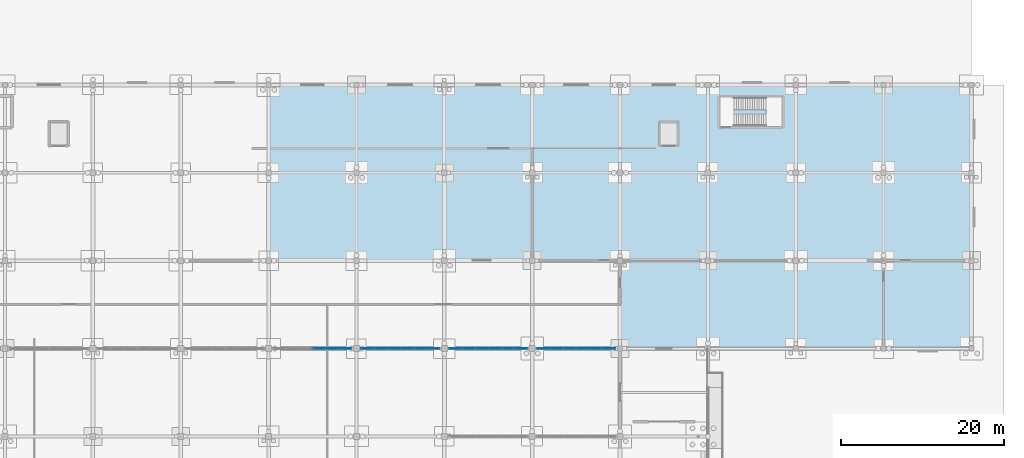
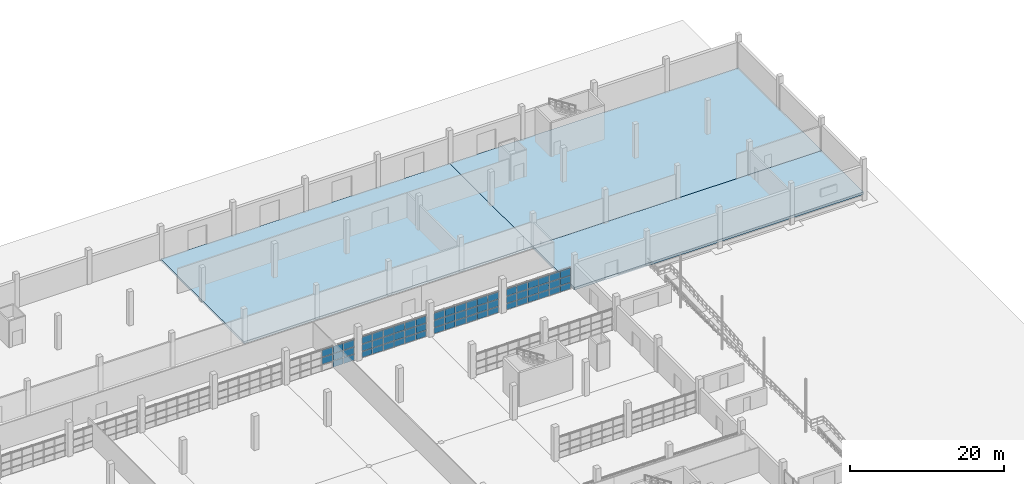
# One storey, part 96 of 138: 62 plates, 3 slabs, 4 elements without a shape of their own.
"""IFC4 building model written with IfcOpenShell, lengths in metres."""

import ifcopenshell
import ifcopenshell.guid

model = None  # the IFC model being written
_history = None  # IfcOwnerHistory: only IFC2X3 demands one
_inside = {}  # id of a spatial element -> (the spatial element, [elements in it])
_under = {}  # id of a project, library or spatial element -> (it, [spatial elements below it])
_declared = {}  # id of a project -> (the project, [libraries it declares])
_typed = {}  # id of a type object -> (the type object, [elements of that type])
_made_of = {}  # id of a material, layer set ... -> (it, [elements and type objects made of it])


def new_model(schema):
    """Start an empty IFC model of exactly this schema.

    Asked for "IFC4X3", IfcOpenShell would pick the latest addendum, in which some entities
    have other attributes; the version numbers below select the first issue.
    IFC2X3 requires an IfcOwnerHistory on every rooted entity: one is made here for all.
    """
    global model, _history
    if schema == "IFC4X3":
        model = ifcopenshell.file(schema_version=(4, 3, 0, 0))
    else:
        model = ifcopenshell.file(schema=schema)
    _inside.clear()
    _under.clear()
    _declared.clear()
    _typed.clear()
    _made_of.clear()
    _history = None
    if model.schema == "IFC2X3":
        org = make("IfcOrganization", Name="unknown")
        user = make(
            "IfcPersonAndOrganization",
            ThePerson=make("IfcPerson", FamilyName="unknown"),
            TheOrganization=org,
        )
        app = make(
            "IfcApplication",
            ApplicationDeveloper=org,
            Version="unknown",
            ApplicationFullName="unknown",
            ApplicationIdentifier="unknown",
        )
        _history = make(
            "IfcOwnerHistory",
            OwningUser=user,
            OwningApplication=app,
            ChangeAction="ADDED",
            CreationDate=0,
        )
    return model


def make(cls, **values):
    """One entity of the class cls with the attributes given. An attribute that is None is left unset."""
    return model.create_entity(
        cls, **{name: value for name, value in values.items() if value is not None}
    )


def rooted(cls, **values):
    """An entity with a GlobalId (a new one), such as an element, a storey or a relation."""
    return make(cls, GlobalId=ifcopenshell.guid.new(), OwnerHistory=_history, **values)


def si_unit(unit_type, name, prefix=None):
    """IfcSIUnit, for example si_unit("LENGTHUNIT", "METRE", prefix="MILLI")."""
    return make("IfcSIUnit", UnitType=unit_type, Prefix=prefix, Name=name)


def assignment(units):
    """IfcUnitAssignment: the units of a project."""
    return None if units is None else make("IfcUnitAssignment", Units=units)


def point(xyz):
    """IfcCartesianPoint."""
    return None if xyz is None else make("IfcCartesianPoint", Coordinates=xyz)


def direction(xyz):
    """IfcDirection."""
    return None if xyz is None else make("IfcDirection", DirectionRatios=xyz)


def frame(location, z_axis=None, x_axis=None):
    """IfcAxis2Placement3D, a coordinate frame: its origin and axes. An axis left out is left unset."""
    return make(
        "IfcAxis2Placement3D",
        Location=point(location),
        Axis=direction(z_axis),
        RefDirection=direction(x_axis),
    )


def frame_2d(location, x_axis=None):
    """IfcAxis2Placement2D, a coordinate frame in the plane: its origin and x axis."""
    return make(
        "IfcAxis2Placement2D", Location=point(location), RefDirection=direction(x_axis)
    )


def origin():
    """The frame at (0, 0, 0) with its axes left unset."""
    return frame((0.0, 0.0, 0.0))


def origin_2d():
    """The frame at (0, 0) in the plane with its x axis left unset."""
    return frame_2d((0.0, 0.0))


def place(relative_to, where):
    """IfcLocalPlacement: puts the frame where relative to a parent placement (None: the world)."""
    return make(
        "IfcLocalPlacement", PlacementRelTo=relative_to, RelativePlacement=where
    )


def context(
    kind, dimensions, precision=None, world=None, true_north=None, identifier=None
):
    """IfcGeometricRepresentationContext, for example the 3D "Model" context."""
    return make(
        "IfcGeometricRepresentationContext",
        ContextIdentifier=identifier,
        ContextType=kind,
        CoordinateSpaceDimension=dimensions,
        Precision=precision,
        WorldCoordinateSystem=world,
        TrueNorth=true_north,
    )


def subcontext(parent, identifier, kind, view, scale=None):
    """IfcGeometricRepresentationSubContext, for example "Body" below "Model"."""
    return make(
        "IfcGeometricRepresentationSubContext",
        ContextIdentifier=identifier,
        ContextType=kind,
        ParentContext=parent,
        TargetScale=scale,
        TargetView=view,
    )


def project(units=None, contexts=None):
    """IfcProject with its units and contexts."""
    return rooted(
        "IfcProject",
        Name="project",
        RepresentationContexts=contexts,
        UnitsInContext=assignment(units),
    )


def spatial(cls, under=None, at=None, **own):
    """A site, building, storey or space (cls), placed at a placement, below another one or the project."""
    s = rooted(cls, ObjectPlacement=at, **own)
    if under is not None:
        _under.setdefault(under.id(), (under, []))[1].append(s)
    return s


def polyline(points):
    """IfcPolyline through the points."""
    return make("IfcPolyline", Points=[point(p) for p in points])


def profile(cls, at=None, kind="AREA", **sizes):
    """A parametric profile (cls). Its sizes go by their IFC names, for example OverallWidth=200.0."""
    return make(cls, ProfileType=kind, Position=at, **sizes)


def rectangle(**sizes):
    """IfcRectangleProfileDef."""
    return profile("IfcRectangleProfileDef", **sizes)


def outline(outer, holes=None, kind="AREA"):
    """IfcArbitraryClosedProfileDef: a profile drawn as a closed curve; with holes, ...WithVoids."""
    if holes is None:
        return make("IfcArbitraryClosedProfileDef", ProfileType=kind, OuterCurve=outer)
    return make(
        "IfcArbitraryProfileDefWithVoids",
        ProfileType=kind,
        OuterCurve=outer,
        InnerCurves=holes,
    )


def extrude(swept, where, along, depth):
    """IfcExtrudedAreaSolid: the profile swept, set in the frame where, extruded along a direction by depth."""
    return make(
        "IfcExtrudedAreaSolid",
        SweptArea=swept,
        Position=where,
        ExtrudedDirection=direction(along),
        Depth=depth,
    )


def shape(context_of_items, identifier, shape_type, items):
    """IfcShapeRepresentation: the items that make up one representation, for example the "Body"."""
    return make(
        "IfcShapeRepresentation",
        ContextOfItems=context_of_items,
        RepresentationIdentifier=identifier,
        RepresentationType=shape_type,
        Items=items,
    )


def material(Name=None, Category=None):
    """IfcMaterial."""
    return make("IfcMaterial", Name=Name, Category=Category)


def layer(
    of_material, thickness, ventilated=None, Name=None, Category=None, Priority=None
):
    """IfcMaterialLayer: one layer of a wall or slab, of a material (None: an air gap)."""
    return make(
        "IfcMaterialLayer",
        Material=of_material,
        LayerThickness=thickness,
        IsVentilated=ventilated,
        Name=Name,
        Category=Category,
        Priority=Priority,
    )


def layer_set(layers, Name=None):
    """IfcMaterialLayerSet."""
    return make("IfcMaterialLayerSet", MaterialLayers=layers, LayerSetName=Name)


def made_of(thing, what):
    """Note that an element or type object is made of a material, layer set ...; save() writes the relation."""
    if what is not None:
        _made_of.setdefault(what.id(), (what, []))[1].append(thing)
    return thing


def type_object(cls, material=None, **own):
    """A type object (cls), such as IfcWallType, which elements share."""
    return made_of(rooted(cls, **own), material)


def element(
    cls,
    number,
    at=None,
    inside=None,
    cuts=None,
    type_object=None,
    material=None,
    context=None,
    identifier="Body",
    shape_type=None,
    held_by="IfcProductDefinitionShape",
    body=None,
    shapes=None,
    **own,
):
    """One element of the class cls, such as IfcWall. Its Tag is "e" and its number.

    at: its placement. inside: the storey or other place that contains it. cuts: it is an
    opening in that element (IfcRelVoidsElement). A single representation is given by context,
    identifier, shape_type and body (its items); several are given by shapes. held_by: the class
    of the entity that holds the representations. save() writes the other relations.
    """
    e = rooted(cls, Tag="e%d" % number, ObjectPlacement=at, **own)
    if body is not None:
        shapes = [shape(context, identifier, shape_type, body)]
    if shapes is not None:
        e.Representation = make(held_by, Representations=shapes)
    if inside is not None:
        _inside.setdefault(inside.id(), (inside, []))[1].append(e)
    if cuts is not None:
        rooted(
            "IfcRelVoidsElement", RelatingBuildingElement=cuts, RelatedOpeningElement=e
        )
    if type_object is not None:
        _typed.setdefault(type_object.id(), (type_object, []))[1].append(e)
    return made_of(e, material)


def aggregate(whole, parts):
    """IfcRelAggregates: a whole, such as a stair, and the parts it consists of."""
    return rooted("IfcRelAggregates", RelatingObject=whole, RelatedObjects=parts)


def save(model, path):
    """Write the relations noted so far, then the file.

    IfcRelAggregates (storeys below a building ...), IfcRelContainedInSpatialStructure (elements
    in a storey), IfcRelDefinesByType, IfcRelAssociatesMaterial and IfcRelDeclares: one each for
    every whole, place, type object, material and project.
    """
    for whole, parts in _under.values():
        aggregate(whole, parts)
    for where, things in _inside.values():
        rooted(
            "IfcRelContainedInSpatialStructure",
            RelatedElements=things,
            RelatingStructure=where,
        )
    for kind, things in _typed.values():
        rooted("IfcRelDefinesByType", RelatedObjects=things, RelatingType=kind)
    for what, things in _made_of.values():
        rooted("IfcRelAssociatesMaterial", RelatedObjects=things, RelatingMaterial=what)
    for by, libraries in _declared.values():
        rooted("IfcRelDeclares", RelatingContext=by, RelatedDefinitions=libraries)
    model.write(path)


model = new_model("IFC4")

# Units and contexts
model_context = context("Model", 3, precision=1e-05, world=origin(), true_north=direction((0.0, 1.0)))
body_context = subcontext(model_context, "Body", "Model", "MODEL_VIEW")
ifc_project = project(units=[si_unit("LENGTHUNIT", "METRE"), si_unit("AREAUNIT", "SQUARE_METRE"), si_unit("VOLUMEUNIT", "CUBIC_METRE"), si_unit("PLANEANGLEUNIT", "RADIAN"), si_unit("MASSUNIT", "GRAM", prefix="KILO")], contexts=[model_context])

# Site, building, storey
site_placement = place(None, origin())
site = spatial("IfcSite", under=ifc_project, at=site_placement, CompositionType="ELEMENT")
building_placement = place(site_placement, origin())
building = spatial("IfcBuilding", under=site, at=building_placement, Name="Zwinboog Wholesale Market", CompositionType="ELEMENT")
storey_placement = place(building_placement, origin())
storey = spatial("IfcBuildingStorey", under=building, at=storey_placement, Name="L00", CompositionType="ELEMENT", Elevation=0.0)

# Slabs
ifc_material_1 = material(Name="Precast concrete C45/55", Category="concrete")
ifc_layer_1 = layer(ifc_material_1, 0.3349609375)
ifc_layer_set_1 = layer_set([ifc_layer_1], Name="Precast concrete C45/55")
slab_type_1 = type_object("IfcSlabType", Name="SLT-BS-335", PredefinedType="BASESLAB", material=ifc_layer_set_1)
slab_1_placement = place(storey_placement, frame((0.0, 0.0, -0.3349609375)))
element("IfcSlab", 1, at=slab_1_placement, inside=storey, type_object=slab_type_1, Name="SB-335 (SLB-L00-019)", PredefinedType="BASESLAB", context=body_context, shape_type="SweptSolid", body=[
    extrude(outline(polyline([(129.60009765625, 108.0), (172.800048828125, 108.0), (172.800048828125, 129.60009765625), (129.60009765625, 129.60009765625), (129.60009765625, 108.0)])), origin(), (0.0, 0.0, 1.0), 0.3349609375),
])
ifc_layer_2 = layer(ifc_material_1, 0.364990234375)
ifc_layer_set_2 = layer_set([ifc_layer_2], Name="Precast concrete C45/55")
slab_type_2 = type_object("IfcSlabType", Name="SLT-BS-365", PredefinedType="BASESLAB", material=ifc_layer_set_2)
slab_2_placement = place(storey_placement, frame((0.0, 0.0, -0.364990234375)))
element("IfcSlab", 2, at=slab_2_placement, inside=storey, type_object=slab_type_2, Name="SB-365 (SLB-L00-020)", PredefinedType="BASESLAB", context=body_context, shape_type="SweptSolid", body=[
    extrude(outline(polyline([(172.800048828125, 108.0), (216.0, 108.0), (216.0, 129.60009765625), (172.800048828125, 129.60009765625), (172.800048828125, 108.0)])), origin(), (0.0, 0.0, 1.0), 0.364990234375),
])
ifc_layer_3 = layer(ifc_material_1, 0.39501953125)
ifc_layer_set_3 = layer_set([ifc_layer_3], Name="Precast concrete C45/55")
slab_type_3 = type_object("IfcSlabType", Name="SLT-BS-395", PredefinedType="BASESLAB", material=ifc_layer_set_3)
slab_3_placement = place(storey_placement, frame((0.0, 0.0, -0.39501953125)))
element("IfcSlab", 3, at=slab_3_placement, inside=storey, type_object=slab_type_3, Name="SB-395 (SLB-L00-021)", PredefinedType="BASESLAB", context=body_context, shape_type="SweptSolid", body=[
    extrude(outline(polyline([(172.800048828125, 97.199951171875), (216.0, 97.199951171875), (216.0, 108.0), (172.800048828125, 108.0), (172.800048828125, 97.199951171875)])), origin(), (0.0, 0.0, 1.0), 0.39501953125),
])

# Curtain wall, plates
ifc_material_2 = material(Name="Aluminium thermally broken curtain wall", Category="aluminium")
curtain_wall_type = type_object("IfcCurtainWallType", Name="CWT-INT-STALL", PredefinedType="USERDEFINED", material=ifc_material_2)
curtain_wall_1_placement = place(storey_placement, origin())
curtain_wall_1 = element("IfcCurtainWall", 4, at=curtain_wall_1_placement, inside=storey, type_object=curtain_wall_type, Name="CW-07 (CW-STL-205)", ObjectType="STOREFRONT_GLAZING", PredefinedType="USERDEFINED")
ifc_material_3 = material(Name="Tempered laminated market stall glazing", Category="glass")
ifc_layer_4 = layer(ifc_material_3, 0.01611328125)
ifc_layer_set_4 = layer_set([ifc_layer_4], Name="Tempered laminated market stall glazing")
plate_type = type_object("IfcPlateType", Name="CWP-INT-16", PredefinedType="CURTAIN_PANEL", material=ifc_layer_set_4)
plate_1_placement = place(storey_placement, frame((135.808349609375, 97.199951171875, 1.080078125), z_axis=(0.0, 0.0, 1.0), x_axis=(1.0, 0.0, 0.0)))
plate_1 = element("IfcPlate", 5, at=plate_1_placement, type_object=plate_type, Name="CW-07 panel 4.2", PredefinedType="CURTAIN_PANEL", context=body_context, shape_type="SweptSolid", body=[
    extrude(rectangle(XDim=1.556640625, YDim=0.01611328125, at=origin_2d()), origin(), (0.0, 0.0, 1.0), 1.090087890625),
])
plate_2_placement = place(storey_placement, frame((135.808349609375, 97.199951171875, 2.22998046875), z_axis=(0.0, 0.0, 1.0), x_axis=(1.0, 0.0, 0.0)))
plate_2 = element("IfcPlate", 6, at=plate_2_placement, type_object=plate_type, Name="CW-07 panel 4.3", PredefinedType="CURTAIN_PANEL", context=body_context, shape_type="SweptSolid", body=[
    extrude(rectangle(XDim=1.556640625, YDim=0.01611328125, at=origin_2d()), origin(), (0.0, 0.0, 1.0), 1.110107421875),
])
plate_3_placement = place(storey_placement, frame((137.425048828125, 97.199951171875, 0.06005859375), z_axis=(0.0, 0.0, 1.0), x_axis=(1.0, 0.0, 0.0)))
plate_3 = element("IfcPlate", 7, at=plate_3_placement, type_object=plate_type, Name="CW-07 panel 5.1", PredefinedType="CURTAIN_PANEL", context=body_context, shape_type="SweptSolid", body=[
    extrude(rectangle(XDim=1.556640625, YDim=0.01611328125, at=origin_2d()), origin(), (0.0, 0.0, 1.0), 0.9599609375),
])
plate_4_placement = place(storey_placement, frame((137.425048828125, 97.199951171875, 1.080078125), z_axis=(0.0, 0.0, 1.0), x_axis=(1.0, 0.0, 0.0)))
plate_4 = element("IfcPlate", 8, at=plate_4_placement, type_object=plate_type, Name="CW-07 panel 5.2", PredefinedType="CURTAIN_PANEL", context=body_context, shape_type="SweptSolid", body=[
    extrude(rectangle(XDim=1.556640625, YDim=0.01611328125, at=origin_2d()), origin(), (0.0, 0.0, 1.0), 1.090087890625),
])
plate_5_placement = place(storey_placement, frame((137.425048828125, 97.199951171875, 2.22998046875), z_axis=(0.0, 0.0, 1.0), x_axis=(1.0, 0.0, 0.0)))
plate_5 = element("IfcPlate", 9, at=plate_5_placement, type_object=plate_type, Name="CW-07 panel 5.3", PredefinedType="CURTAIN_PANEL", context=body_context, shape_type="SweptSolid", body=[
    extrude(rectangle(XDim=1.556640625, YDim=0.01611328125, at=origin_2d()), origin(), (0.0, 0.0, 1.0), 1.110107421875),
])
plate_6_placement = place(storey_placement, frame((139.026611328125, 97.199951171875, 0.06005859375), z_axis=(0.0, 0.0, 1.0), x_axis=(1.0, 0.0, 0.0)))
plate_6 = element("IfcPlate", 10, at=plate_6_placement, type_object=plate_type, Name="CW-07 panel 6.1", PredefinedType="CURTAIN_PANEL", context=body_context, shape_type="SweptSolid", body=[
    extrude(rectangle(XDim=1.526611328125, YDim=0.01611328125, at=origin_2d()), origin(), (0.0, 0.0, 1.0), 0.9599609375),
])
plate_7_placement = place(storey_placement, frame((139.026611328125, 97.199951171875, 1.080078125), z_axis=(0.0, 0.0, 1.0), x_axis=(1.0, 0.0, 0.0)))
plate_7 = element("IfcPlate", 11, at=plate_7_placement, type_object=plate_type, Name="CW-07 panel 6.2", PredefinedType="CURTAIN_PANEL", context=body_context, shape_type="SweptSolid", body=[
    extrude(rectangle(XDim=1.526611328125, YDim=0.01611328125, at=origin_2d()), origin(), (0.0, 0.0, 1.0), 1.090087890625),
])
plate_8_placement = place(storey_placement, frame((139.026611328125, 97.199951171875, 2.22998046875), z_axis=(0.0, 0.0, 1.0), x_axis=(1.0, 0.0, 0.0)))
plate_8 = element("IfcPlate", 12, at=plate_8_placement, type_object=plate_type, Name="CW-07 panel 6.3", PredefinedType="CURTAIN_PANEL", context=body_context, shape_type="SweptSolid", body=[
    extrude(rectangle(XDim=1.526611328125, YDim=0.01611328125, at=origin_2d()), origin(), (0.0, 0.0, 1.0), 1.110107421875),
])
aggregate(curtain_wall_1, [plate_1, plate_2, plate_3, plate_4, plate_5, plate_6, plate_7, plate_8])

curtain_wall_2_placement = place(storey_placement, origin())
curtain_wall_2 = element("IfcCurtainWall", 13, at=curtain_wall_2_placement, inside=storey, type_object=curtain_wall_type, Name="CW-07 (CW-STL-206)", ObjectType="STOREFRONT_GLAZING", PredefinedType="USERDEFINED")
plate_9_placement = place(storey_placement, frame((141.7734375, 97.199951171875, 0.06005859375), z_axis=(0.0, 0.0, 1.0), x_axis=(1.0, 0.0, 0.0)))
plate_9 = element("IfcPlate", 14, at=plate_9_placement, type_object=plate_type, Name="CW-07 panel 1.1", PredefinedType="CURTAIN_PANEL", context=body_context, shape_type="SweptSolid", body=[
    extrude(rectangle(XDim=1.526611328125, YDim=0.01611328125, at=origin_2d()), origin(), (0.0, 0.0, 1.0), 0.9599609375),
])
plate_10_placement = place(storey_placement, frame((141.7734375, 97.199951171875, 1.080078125), z_axis=(0.0, 0.0, 1.0), x_axis=(1.0, 0.0, 0.0)))
plate_10 = element("IfcPlate", 15, at=plate_10_placement, type_object=plate_type, Name="CW-07 panel 1.2", PredefinedType="CURTAIN_PANEL", context=body_context, shape_type="SweptSolid", body=[
    extrude(rectangle(XDim=1.526611328125, YDim=0.01611328125, at=origin_2d()), origin(), (0.0, 0.0, 1.0), 1.090087890625),
])
plate_11_placement = place(storey_placement, frame((141.7734375, 97.199951171875, 2.22998046875), z_axis=(0.0, 0.0, 1.0), x_axis=(1.0, 0.0, 0.0)))
plate_11 = element("IfcPlate", 16, at=plate_11_placement, type_object=plate_type, Name="CW-07 panel 1.3", PredefinedType="CURTAIN_PANEL", context=body_context, shape_type="SweptSolid", body=[
    extrude(rectangle(XDim=1.526611328125, YDim=0.01611328125, at=origin_2d()), origin(), (0.0, 0.0, 1.0), 1.110107421875),
])
plate_12_placement = place(storey_placement, frame((143.375, 97.199951171875, 0.06005859375), z_axis=(0.0, 0.0, 1.0), x_axis=(1.0, 0.0, 0.0)))
plate_12 = element("IfcPlate", 17, at=plate_12_placement, type_object=plate_type, Name="CW-07 panel 2.1", PredefinedType="CURTAIN_PANEL", context=body_context, shape_type="SweptSolid", body=[
    extrude(rectangle(XDim=1.556640625, YDim=0.01611328125, at=origin_2d()), origin(), (0.0, 0.0, 1.0), 0.9599609375),
])
plate_13_placement = place(storey_placement, frame((143.375, 97.199951171875, 1.080078125), z_axis=(0.0, 0.0, 1.0), x_axis=(1.0, 0.0, 0.0)))
plate_13 = element("IfcPlate", 18, at=plate_13_placement, type_object=plate_type, Name="CW-07 panel 2.2", PredefinedType="CURTAIN_PANEL", context=body_context, shape_type="SweptSolid", body=[
    extrude(rectangle(XDim=1.556640625, YDim=0.01611328125, at=origin_2d()), origin(), (0.0, 0.0, 1.0), 1.090087890625),
])
plate_14_placement = place(storey_placement, frame((143.375, 97.199951171875, 2.22998046875), z_axis=(0.0, 0.0, 1.0), x_axis=(1.0, 0.0, 0.0)))
plate_14 = element("IfcPlate", 19, at=plate_14_placement, type_object=plate_type, Name="CW-07 panel 2.3", PredefinedType="CURTAIN_PANEL", context=body_context, shape_type="SweptSolid", body=[
    extrude(rectangle(XDim=1.556640625, YDim=0.01611328125, at=origin_2d()), origin(), (0.0, 0.0, 1.0), 1.110107421875),
])
plate_15_placement = place(storey_placement, frame((144.99169921875, 97.199951171875, 0.06005859375), z_axis=(0.0, 0.0, 1.0), x_axis=(1.0, 0.0, 0.0)))
plate_15 = element("IfcPlate", 20, at=plate_15_placement, type_object=plate_type, Name="CW-07 panel 3.1", PredefinedType="CURTAIN_PANEL", context=body_context, shape_type="SweptSolid", body=[
    extrude(rectangle(XDim=1.556640625, YDim=0.01611328125, at=origin_2d()), origin(), (0.0, 0.0, 1.0), 0.9599609375),
])
plate_16_placement = place(storey_placement, frame((144.99169921875, 97.199951171875, 1.080078125), z_axis=(0.0, 0.0, 1.0), x_axis=(1.0, 0.0, 0.0)))
plate_16 = element("IfcPlate", 21, at=plate_16_placement, type_object=plate_type, Name="CW-07 panel 3.2", PredefinedType="CURTAIN_PANEL", context=body_context, shape_type="SweptSolid", body=[
    extrude(rectangle(XDim=1.556640625, YDim=0.01611328125, at=origin_2d()), origin(), (0.0, 0.0, 1.0), 1.090087890625),
])
plate_17_placement = place(storey_placement, frame((144.99169921875, 97.199951171875, 2.22998046875), z_axis=(0.0, 0.0, 1.0), x_axis=(1.0, 0.0, 0.0)))
plate_17 = element("IfcPlate", 22, at=plate_17_placement, type_object=plate_type, Name="CW-07 panel 3.3", PredefinedType="CURTAIN_PANEL", context=body_context, shape_type="SweptSolid", body=[
    extrude(rectangle(XDim=1.556640625, YDim=0.01611328125, at=origin_2d()), origin(), (0.0, 0.0, 1.0), 1.110107421875),
])
plate_18_placement = place(storey_placement, frame((146.6083984375, 97.199951171875, 0.06005859375), z_axis=(0.0, 0.0, 1.0), x_axis=(1.0, 0.0, 0.0)))
plate_18 = element("IfcPlate", 23, at=plate_18_placement, type_object=plate_type, Name="CW-07 panel 4.1", PredefinedType="CURTAIN_PANEL", context=body_context, shape_type="SweptSolid", body=[
    extrude(rectangle(XDim=1.556640625, YDim=0.01611328125, at=origin_2d()), origin(), (0.0, 0.0, 1.0), 0.9599609375),
])
plate_19_placement = place(storey_placement, frame((146.6083984375, 97.199951171875, 1.080078125), z_axis=(0.0, 0.0, 1.0), x_axis=(1.0, 0.0, 0.0)))
plate_19 = element("IfcPlate", 24, at=plate_19_placement, type_object=plate_type, Name="CW-07 panel 4.2", PredefinedType="CURTAIN_PANEL", context=body_context, shape_type="SweptSolid", body=[
    extrude(rectangle(XDim=1.556640625, YDim=0.01611328125, at=origin_2d()), origin(), (0.0, 0.0, 1.0), 1.090087890625),
])
plate_20_placement = place(storey_placement, frame((146.6083984375, 97.199951171875, 2.22998046875), z_axis=(0.0, 0.0, 1.0), x_axis=(1.0, 0.0, 0.0)))
plate_20 = element("IfcPlate", 25, at=plate_20_placement, type_object=plate_type, Name="CW-07 panel 4.3", PredefinedType="CURTAIN_PANEL", context=body_context, shape_type="SweptSolid", body=[
    extrude(rectangle(XDim=1.556640625, YDim=0.01611328125, at=origin_2d()), origin(), (0.0, 0.0, 1.0), 1.110107421875),
])
plate_21_placement = place(storey_placement, frame((148.22509765625, 97.199951171875, 0.06005859375), z_axis=(0.0, 0.0, 1.0), x_axis=(1.0, 0.0, 0.0)))
plate_21 = element("IfcPlate", 26, at=plate_21_placement, type_object=plate_type, Name="CW-07 panel 5.1", PredefinedType="CURTAIN_PANEL", context=body_context, shape_type="SweptSolid", body=[
    extrude(rectangle(XDim=1.556640625, YDim=0.01611328125, at=origin_2d()), origin(), (0.0, 0.0, 1.0), 0.9599609375),
])
plate_22_placement = place(storey_placement, frame((148.22509765625, 97.199951171875, 1.080078125), z_axis=(0.0, 0.0, 1.0), x_axis=(1.0, 0.0, 0.0)))
plate_22 = element("IfcPlate", 27, at=plate_22_placement, type_object=plate_type, Name="CW-07 panel 5.2", PredefinedType="CURTAIN_PANEL", context=body_context, shape_type="SweptSolid", body=[
    extrude(rectangle(XDim=1.556640625, YDim=0.01611328125, at=origin_2d()), origin(), (0.0, 0.0, 1.0), 1.090087890625),
])
plate_23_placement = place(storey_placement, frame((148.22509765625, 97.199951171875, 2.22998046875), z_axis=(0.0, 0.0, 1.0), x_axis=(1.0, 0.0, 0.0)))
plate_23 = element("IfcPlate", 28, at=plate_23_placement, type_object=plate_type, Name="CW-07 panel 5.3", PredefinedType="CURTAIN_PANEL", context=body_context, shape_type="SweptSolid", body=[
    extrude(rectangle(XDim=1.556640625, YDim=0.01611328125, at=origin_2d()), origin(), (0.0, 0.0, 1.0), 1.110107421875),
])
plate_24_placement = place(storey_placement, frame((149.82666015625, 97.199951171875, 0.06005859375), z_axis=(0.0, 0.0, 1.0), x_axis=(1.0, 0.0, 0.0)))
plate_24 = element("IfcPlate", 29, at=plate_24_placement, type_object=plate_type, Name="CW-07 panel 6.1", PredefinedType="CURTAIN_PANEL", context=body_context, shape_type="SweptSolid", body=[
    extrude(rectangle(XDim=1.526611328125, YDim=0.01611328125, at=origin_2d()), origin(), (0.0, 0.0, 1.0), 0.9599609375),
])
plate_25_placement = place(storey_placement, frame((149.82666015625, 97.199951171875, 1.080078125), z_axis=(0.0, 0.0, 1.0), x_axis=(1.0, 0.0, 0.0)))
plate_25 = element("IfcPlate", 30, at=plate_25_placement, type_object=plate_type, Name="CW-07 panel 6.2", PredefinedType="CURTAIN_PANEL", context=body_context, shape_type="SweptSolid", body=[
    extrude(rectangle(XDim=1.526611328125, YDim=0.01611328125, at=origin_2d()), origin(), (0.0, 0.0, 1.0), 1.090087890625),
])
plate_26_placement = place(storey_placement, frame((149.82666015625, 97.199951171875, 2.22998046875), z_axis=(0.0, 0.0, 1.0), x_axis=(1.0, 0.0, 0.0)))
plate_26 = element("IfcPlate", 31, at=plate_26_placement, type_object=plate_type, Name="CW-07 panel 6.3", PredefinedType="CURTAIN_PANEL", context=body_context, shape_type="SweptSolid", body=[
    extrude(rectangle(XDim=1.526611328125, YDim=0.01611328125, at=origin_2d()), origin(), (0.0, 0.0, 1.0), 1.110107421875),
])
aggregate(curtain_wall_2, [plate_9, plate_10, plate_11, plate_12, plate_13, plate_14, plate_15, plate_16, plate_17, plate_18, plate_19, plate_20, plate_21, plate_22, plate_23, plate_24, plate_25, plate_26])

curtain_wall_3_placement = place(storey_placement, origin())
curtain_wall_3 = element("IfcCurtainWall", 32, at=curtain_wall_3_placement, inside=storey, type_object=curtain_wall_type, Name="CW-07 (CW-STL-207)", ObjectType="STOREFRONT_GLAZING", PredefinedType="USERDEFINED")
plate_27_placement = place(storey_placement, frame((152.5732421875, 97.199951171875, 0.06005859375), z_axis=(0.0, 0.0, 1.0), x_axis=(1.0, 0.0, 0.0)))
plate_27 = element("IfcPlate", 33, at=plate_27_placement, type_object=plate_type, Name="CW-07 panel 1.1", PredefinedType="CURTAIN_PANEL", context=body_context, shape_type="SweptSolid", body=[
    extrude(rectangle(XDim=1.526611328125, YDim=0.01611328125, at=origin_2d()), origin(), (0.0, 0.0, 1.0), 0.9599609375),
])
plate_28_placement = place(storey_placement, frame((152.5732421875, 97.199951171875, 1.080078125), z_axis=(0.0, 0.0, 1.0), x_axis=(1.0, 0.0, 0.0)))
plate_28 = element("IfcPlate", 34, at=plate_28_placement, type_object=plate_type, Name="CW-07 panel 1.2", PredefinedType="CURTAIN_PANEL", context=body_context, shape_type="SweptSolid", body=[
    extrude(rectangle(XDim=1.526611328125, YDim=0.01611328125, at=origin_2d()), origin(), (0.0, 0.0, 1.0), 1.090087890625),
])
plate_29_placement = place(storey_placement, frame((152.5732421875, 97.199951171875, 2.22998046875), z_axis=(0.0, 0.0, 1.0), x_axis=(1.0, 0.0, 0.0)))
plate_29 = element("IfcPlate", 35, at=plate_29_placement, type_object=plate_type, Name="CW-07 panel 1.3", PredefinedType="CURTAIN_PANEL", context=body_context, shape_type="SweptSolid", body=[
    extrude(rectangle(XDim=1.526611328125, YDim=0.01611328125, at=origin_2d()), origin(), (0.0, 0.0, 1.0), 1.110107421875),
])
plate_30_placement = place(storey_placement, frame((154.175048828125, 97.199951171875, 0.06005859375), z_axis=(0.0, 0.0, 1.0), x_axis=(1.0, 0.0, 0.0)))
plate_30 = element("IfcPlate", 36, at=plate_30_placement, type_object=plate_type, Name="CW-07 panel 2.1", PredefinedType="CURTAIN_PANEL", context=body_context, shape_type="SweptSolid", body=[
    extrude(rectangle(XDim=1.556640625, YDim=0.01611328125, at=origin_2d()), origin(), (0.0, 0.0, 1.0), 0.9599609375),
])
plate_31_placement = place(storey_placement, frame((154.175048828125, 97.199951171875, 1.080078125), z_axis=(0.0, 0.0, 1.0), x_axis=(1.0, 0.0, 0.0)))
plate_31 = element("IfcPlate", 37, at=plate_31_placement, type_object=plate_type, Name="CW-07 panel 2.2", PredefinedType="CURTAIN_PANEL", context=body_context, shape_type="SweptSolid", body=[
    extrude(rectangle(XDim=1.556640625, YDim=0.01611328125, at=origin_2d()), origin(), (0.0, 0.0, 1.0), 1.090087890625),
])
plate_32_placement = place(storey_placement, frame((154.175048828125, 97.199951171875, 2.22998046875), z_axis=(0.0, 0.0, 1.0), x_axis=(1.0, 0.0, 0.0)))
plate_32 = element("IfcPlate", 38, at=plate_32_placement, type_object=plate_type, Name="CW-07 panel 2.3", PredefinedType="CURTAIN_PANEL", context=body_context, shape_type="SweptSolid", body=[
    extrude(rectangle(XDim=1.556640625, YDim=0.01611328125, at=origin_2d()), origin(), (0.0, 0.0, 1.0), 1.110107421875),
])
plate_33_placement = place(storey_placement, frame((155.791748046875, 97.199951171875, 0.06005859375), z_axis=(0.0, 0.0, 1.0), x_axis=(1.0, 0.0, 0.0)))
plate_33 = element("IfcPlate", 39, at=plate_33_placement, type_object=plate_type, Name="CW-07 panel 3.1", PredefinedType="CURTAIN_PANEL", context=body_context, shape_type="SweptSolid", body=[
    extrude(rectangle(XDim=1.556640625, YDim=0.01611328125, at=origin_2d()), origin(), (0.0, 0.0, 1.0), 0.9599609375),
])
plate_34_placement = place(storey_placement, frame((155.791748046875, 97.199951171875, 1.080078125), z_axis=(0.0, 0.0, 1.0), x_axis=(1.0, 0.0, 0.0)))
plate_34 = element("IfcPlate", 40, at=plate_34_placement, type_object=plate_type, Name="CW-07 panel 3.2", PredefinedType="CURTAIN_PANEL", context=body_context, shape_type="SweptSolid", body=[
    extrude(rectangle(XDim=1.556640625, YDim=0.01611328125, at=origin_2d()), origin(), (0.0, 0.0, 1.0), 1.090087890625),
])
plate_35_placement = place(storey_placement, frame((155.791748046875, 97.199951171875, 2.22998046875), z_axis=(0.0, 0.0, 1.0), x_axis=(1.0, 0.0, 0.0)))
plate_35 = element("IfcPlate", 41, at=plate_35_placement, type_object=plate_type, Name="CW-07 panel 3.3", PredefinedType="CURTAIN_PANEL", context=body_context, shape_type="SweptSolid", body=[
    extrude(rectangle(XDim=1.556640625, YDim=0.01611328125, at=origin_2d()), origin(), (0.0, 0.0, 1.0), 1.110107421875),
])
plate_36_placement = place(storey_placement, frame((157.408447265625, 97.199951171875, 0.06005859375), z_axis=(0.0, 0.0, 1.0), x_axis=(1.0, 0.0, 0.0)))
plate_36 = element("IfcPlate", 42, at=plate_36_placement, type_object=plate_type, Name="CW-07 panel 4.1", PredefinedType="CURTAIN_PANEL", context=body_context, shape_type="SweptSolid", body=[
    extrude(rectangle(XDim=1.556640625, YDim=0.01611328125, at=origin_2d()), origin(), (0.0, 0.0, 1.0), 0.9599609375),
])
plate_37_placement = place(storey_placement, frame((157.408447265625, 97.199951171875, 1.080078125), z_axis=(0.0, 0.0, 1.0), x_axis=(1.0, 0.0, 0.0)))
plate_37 = element("IfcPlate", 43, at=plate_37_placement, type_object=plate_type, Name="CW-07 panel 4.2", PredefinedType="CURTAIN_PANEL", context=body_context, shape_type="SweptSolid", body=[
    extrude(rectangle(XDim=1.556640625, YDim=0.01611328125, at=origin_2d()), origin(), (0.0, 0.0, 1.0), 1.090087890625),
])
plate_38_placement = place(storey_placement, frame((157.408447265625, 97.199951171875, 2.22998046875), z_axis=(0.0, 0.0, 1.0), x_axis=(1.0, 0.0, 0.0)))
plate_38 = element("IfcPlate", 44, at=plate_38_placement, type_object=plate_type, Name="CW-07 panel 4.3", PredefinedType="CURTAIN_PANEL", context=body_context, shape_type="SweptSolid", body=[
    extrude(rectangle(XDim=1.556640625, YDim=0.01611328125, at=origin_2d()), origin(), (0.0, 0.0, 1.0), 1.110107421875),
])
plate_39_placement = place(storey_placement, frame((159.02490234375, 97.199951171875, 0.06005859375), z_axis=(0.0, 0.0, 1.0), x_axis=(1.0, 0.0, 0.0)))
plate_39 = element("IfcPlate", 45, at=plate_39_placement, type_object=plate_type, Name="CW-07 panel 5.1", PredefinedType="CURTAIN_PANEL", context=body_context, shape_type="SweptSolid", body=[
    extrude(rectangle(XDim=1.556640625, YDim=0.01611328125, at=origin_2d()), origin(), (0.0, 0.0, 1.0), 0.9599609375),
])
plate_40_placement = place(storey_placement, frame((159.02490234375, 97.199951171875, 1.080078125), z_axis=(0.0, 0.0, 1.0), x_axis=(1.0, 0.0, 0.0)))
plate_40 = element("IfcPlate", 46, at=plate_40_placement, type_object=plate_type, Name="CW-07 panel 5.2", PredefinedType="CURTAIN_PANEL", context=body_context, shape_type="SweptSolid", body=[
    extrude(rectangle(XDim=1.556640625, YDim=0.01611328125, at=origin_2d()), origin(), (0.0, 0.0, 1.0), 1.090087890625),
])
plate_41_placement = place(storey_placement, frame((159.02490234375, 97.199951171875, 2.22998046875), z_axis=(0.0, 0.0, 1.0), x_axis=(1.0, 0.0, 0.0)))
plate_41 = element("IfcPlate", 47, at=plate_41_placement, type_object=plate_type, Name="CW-07 panel 5.3", PredefinedType="CURTAIN_PANEL", context=body_context, shape_type="SweptSolid", body=[
    extrude(rectangle(XDim=1.556640625, YDim=0.01611328125, at=origin_2d()), origin(), (0.0, 0.0, 1.0), 1.110107421875),
])
plate_42_placement = place(storey_placement, frame((160.626708984375, 97.199951171875, 0.06005859375), z_axis=(0.0, 0.0, 1.0), x_axis=(1.0, 0.0, 0.0)))
plate_42 = element("IfcPlate", 48, at=plate_42_placement, type_object=plate_type, Name="CW-07 panel 6.1", PredefinedType="CURTAIN_PANEL", context=body_context, shape_type="SweptSolid", body=[
    extrude(rectangle(XDim=1.526611328125, YDim=0.01611328125, at=origin_2d()), origin(), (0.0, 0.0, 1.0), 0.9599609375),
])
plate_43_placement = place(storey_placement, frame((160.626708984375, 97.199951171875, 1.080078125), z_axis=(0.0, 0.0, 1.0), x_axis=(1.0, 0.0, 0.0)))
plate_43 = element("IfcPlate", 49, at=plate_43_placement, type_object=plate_type, Name="CW-07 panel 6.2", PredefinedType="CURTAIN_PANEL", context=body_context, shape_type="SweptSolid", body=[
    extrude(rectangle(XDim=1.526611328125, YDim=0.01611328125, at=origin_2d()), origin(), (0.0, 0.0, 1.0), 1.090087890625),
])
plate_44_placement = place(storey_placement, frame((160.626708984375, 97.199951171875, 2.22998046875), z_axis=(0.0, 0.0, 1.0), x_axis=(1.0, 0.0, 0.0)))
plate_44 = element("IfcPlate", 50, at=plate_44_placement, type_object=plate_type, Name="CW-07 panel 6.3", PredefinedType="CURTAIN_PANEL", context=body_context, shape_type="SweptSolid", body=[
    extrude(rectangle(XDim=1.526611328125, YDim=0.01611328125, at=origin_2d()), origin(), (0.0, 0.0, 1.0), 1.110107421875),
])
aggregate(curtain_wall_3, [plate_27, plate_28, plate_29, plate_30, plate_31, plate_32, plate_33, plate_34, plate_35, plate_36, plate_37, plate_38, plate_39, plate_40, plate_41, plate_42, plate_43, plate_44])

curtain_wall_4_placement = place(storey_placement, origin())
curtain_wall_4 = element("IfcCurtainWall", 51, at=curtain_wall_4_placement, inside=storey, type_object=curtain_wall_type, Name="CW-07 (CW-STL-208)", ObjectType="STOREFRONT_GLAZING", PredefinedType="USERDEFINED")
plate_45_placement = place(storey_placement, frame((163.373291015625, 97.199951171875, 0.06005859375), z_axis=(0.0, 0.0, 1.0), x_axis=(1.0, 0.0, 0.0)))
plate_45 = element("IfcPlate", 52, at=plate_45_placement, type_object=plate_type, Name="CW-07 panel 1.1", PredefinedType="CURTAIN_PANEL", context=body_context, shape_type="SweptSolid", body=[
    extrude(rectangle(XDim=1.526611328125, YDim=0.01611328125, at=origin_2d()), origin(), (0.0, 0.0, 1.0), 0.9599609375),
])
plate_46_placement = place(storey_placement, frame((163.373291015625, 97.199951171875, 1.080078125), z_axis=(0.0, 0.0, 1.0), x_axis=(1.0, 0.0, 0.0)))
plate_46 = element("IfcPlate", 53, at=plate_46_placement, type_object=plate_type, Name="CW-07 panel 1.2", PredefinedType="CURTAIN_PANEL", context=body_context, shape_type="SweptSolid", body=[
    extrude(rectangle(XDim=1.526611328125, YDim=0.01611328125, at=origin_2d()), origin(), (0.0, 0.0, 1.0), 1.090087890625),
])
plate_47_placement = place(storey_placement, frame((163.373291015625, 97.199951171875, 2.22998046875), z_axis=(0.0, 0.0, 1.0), x_axis=(1.0, 0.0, 0.0)))
plate_47 = element("IfcPlate", 54, at=plate_47_placement, type_object=plate_type, Name="CW-07 panel 1.3", PredefinedType="CURTAIN_PANEL", context=body_context, shape_type="SweptSolid", body=[
    extrude(rectangle(XDim=1.526611328125, YDim=0.01611328125, at=origin_2d()), origin(), (0.0, 0.0, 1.0), 1.110107421875),
])
plate_48_placement = place(storey_placement, frame((164.97509765625, 97.199951171875, 0.06005859375), z_axis=(0.0, 0.0, 1.0), x_axis=(1.0, 0.0, 0.0)))
plate_48 = element("IfcPlate", 55, at=plate_48_placement, type_object=plate_type, Name="CW-07 panel 2.1", PredefinedType="CURTAIN_PANEL", context=body_context, shape_type="SweptSolid", body=[
    extrude(rectangle(XDim=1.556640625, YDim=0.01611328125, at=origin_2d()), origin(), (0.0, 0.0, 1.0), 0.9599609375),
])
plate_49_placement = place(storey_placement, frame((164.97509765625, 97.199951171875, 1.080078125), z_axis=(0.0, 0.0, 1.0), x_axis=(1.0, 0.0, 0.0)))
plate_49 = element("IfcPlate", 56, at=plate_49_placement, type_object=plate_type, Name="CW-07 panel 2.2", PredefinedType="CURTAIN_PANEL", context=body_context, shape_type="SweptSolid", body=[
    extrude(rectangle(XDim=1.556640625, YDim=0.01611328125, at=origin_2d()), origin(), (0.0, 0.0, 1.0), 1.090087890625),
])
plate_50_placement = place(storey_placement, frame((164.97509765625, 97.199951171875, 2.22998046875), z_axis=(0.0, 0.0, 1.0), x_axis=(1.0, 0.0, 0.0)))
plate_50 = element("IfcPlate", 57, at=plate_50_placement, type_object=plate_type, Name="CW-07 panel 2.3", PredefinedType="CURTAIN_PANEL", context=body_context, shape_type="SweptSolid", body=[
    extrude(rectangle(XDim=1.556640625, YDim=0.01611328125, at=origin_2d()), origin(), (0.0, 0.0, 1.0), 1.110107421875),
])
plate_51_placement = place(storey_placement, frame((166.591552734375, 97.199951171875, 0.06005859375), z_axis=(0.0, 0.0, 1.0), x_axis=(1.0, 0.0, 0.0)))
plate_51 = element("IfcPlate", 58, at=plate_51_placement, type_object=plate_type, Name="CW-07 panel 3.1", PredefinedType="CURTAIN_PANEL", context=body_context, shape_type="SweptSolid", body=[
    extrude(rectangle(XDim=1.556640625, YDim=0.01611328125, at=origin_2d()), origin(), (0.0, 0.0, 1.0), 0.9599609375),
])
plate_52_placement = place(storey_placement, frame((166.591552734375, 97.199951171875, 1.080078125), z_axis=(0.0, 0.0, 1.0), x_axis=(1.0, 0.0, 0.0)))
plate_52 = element("IfcPlate", 59, at=plate_52_placement, type_object=plate_type, Name="CW-07 panel 3.2", PredefinedType="CURTAIN_PANEL", context=body_context, shape_type="SweptSolid", body=[
    extrude(rectangle(XDim=1.556640625, YDim=0.01611328125, at=origin_2d()), origin(), (0.0, 0.0, 1.0), 1.090087890625),
])
plate_53_placement = place(storey_placement, frame((166.591552734375, 97.199951171875, 2.22998046875), z_axis=(0.0, 0.0, 1.0), x_axis=(1.0, 0.0, 0.0)))
plate_53 = element("IfcPlate", 60, at=plate_53_placement, type_object=plate_type, Name="CW-07 panel 3.3", PredefinedType="CURTAIN_PANEL", context=body_context, shape_type="SweptSolid", body=[
    extrude(rectangle(XDim=1.556640625, YDim=0.01611328125, at=origin_2d()), origin(), (0.0, 0.0, 1.0), 1.110107421875),
])
plate_54_placement = place(storey_placement, frame((168.208251953125, 97.199951171875, 0.06005859375), z_axis=(0.0, 0.0, 1.0), x_axis=(1.0, 0.0, 0.0)))
plate_54 = element("IfcPlate", 61, at=plate_54_placement, type_object=plate_type, Name="CW-07 panel 4.1", PredefinedType="CURTAIN_PANEL", context=body_context, shape_type="SweptSolid", body=[
    extrude(rectangle(XDim=1.556640625, YDim=0.01611328125, at=origin_2d()), origin(), (0.0, 0.0, 1.0), 0.9599609375),
])
plate_55_placement = place(storey_placement, frame((168.208251953125, 97.199951171875, 1.080078125), z_axis=(0.0, 0.0, 1.0), x_axis=(1.0, 0.0, 0.0)))
plate_55 = element("IfcPlate", 62, at=plate_55_placement, type_object=plate_type, Name="CW-07 panel 4.2", PredefinedType="CURTAIN_PANEL", context=body_context, shape_type="SweptSolid", body=[
    extrude(rectangle(XDim=1.556640625, YDim=0.01611328125, at=origin_2d()), origin(), (0.0, 0.0, 1.0), 1.090087890625),
])
plate_56_placement = place(storey_placement, frame((168.208251953125, 97.199951171875, 2.22998046875), z_axis=(0.0, 0.0, 1.0), x_axis=(1.0, 0.0, 0.0)))
plate_56 = element("IfcPlate", 63, at=plate_56_placement, type_object=plate_type, Name="CW-07 panel 4.3", PredefinedType="CURTAIN_PANEL", context=body_context, shape_type="SweptSolid", body=[
    extrude(rectangle(XDim=1.556640625, YDim=0.01611328125, at=origin_2d()), origin(), (0.0, 0.0, 1.0), 1.110107421875),
])
plate_57_placement = place(storey_placement, frame((169.824951171875, 97.199951171875, 0.06005859375), z_axis=(0.0, 0.0, 1.0), x_axis=(1.0, 0.0, 0.0)))
plate_57 = element("IfcPlate", 64, at=plate_57_placement, type_object=plate_type, Name="CW-07 panel 5.1", PredefinedType="CURTAIN_PANEL", context=body_context, shape_type="SweptSolid", body=[
    extrude(rectangle(XDim=1.556640625, YDim=0.01611328125, at=origin_2d()), origin(), (0.0, 0.0, 1.0), 0.9599609375),
])
plate_58_placement = place(storey_placement, frame((169.824951171875, 97.199951171875, 1.080078125), z_axis=(0.0, 0.0, 1.0), x_axis=(1.0, 0.0, 0.0)))
plate_58 = element("IfcPlate", 65, at=plate_58_placement, type_object=plate_type, Name="CW-07 panel 5.2", PredefinedType="CURTAIN_PANEL", context=body_context, shape_type="SweptSolid", body=[
    extrude(rectangle(XDim=1.556640625, YDim=0.01611328125, at=origin_2d()), origin(), (0.0, 0.0, 1.0), 1.090087890625),
])
plate_59_placement = place(storey_placement, frame((169.824951171875, 97.199951171875, 2.22998046875), z_axis=(0.0, 0.0, 1.0), x_axis=(1.0, 0.0, 0.0)))
plate_59 = element("IfcPlate", 66, at=plate_59_placement, type_object=plate_type, Name="CW-07 panel 5.3", PredefinedType="CURTAIN_PANEL", context=body_context, shape_type="SweptSolid", body=[
    extrude(rectangle(XDim=1.556640625, YDim=0.01611328125, at=origin_2d()), origin(), (0.0, 0.0, 1.0), 1.110107421875),
])
plate_60_placement = place(storey_placement, frame((171.4267578125, 97.199951171875, 0.06005859375), z_axis=(0.0, 0.0, 1.0), x_axis=(1.0, 0.0, 0.0)))
plate_60 = element("IfcPlate", 67, at=plate_60_placement, type_object=plate_type, Name="CW-07 panel 6.1", PredefinedType="CURTAIN_PANEL", context=body_context, shape_type="SweptSolid", body=[
    extrude(rectangle(XDim=1.526611328125, YDim=0.01611328125, at=origin_2d()), origin(), (0.0, 0.0, 1.0), 0.9599609375),
])
plate_61_placement = place(storey_placement, frame((171.4267578125, 97.199951171875, 1.080078125), z_axis=(0.0, 0.0, 1.0), x_axis=(1.0, 0.0, 0.0)))
plate_61 = element("IfcPlate", 68, at=plate_61_placement, type_object=plate_type, Name="CW-07 panel 6.2", PredefinedType="CURTAIN_PANEL", context=body_context, shape_type="SweptSolid", body=[
    extrude(rectangle(XDim=1.526611328125, YDim=0.01611328125, at=origin_2d()), origin(), (0.0, 0.0, 1.0), 1.090087890625),
])
plate_62_placement = place(storey_placement, frame((171.4267578125, 97.199951171875, 2.22998046875), z_axis=(0.0, 0.0, 1.0), x_axis=(1.0, 0.0, 0.0)))
plate_62 = element("IfcPlate", 69, at=plate_62_placement, type_object=plate_type, Name="CW-07 panel 6.3", PredefinedType="CURTAIN_PANEL", context=body_context, shape_type="SweptSolid", body=[
    extrude(rectangle(XDim=1.526611328125, YDim=0.01611328125, at=origin_2d()), origin(), (0.0, 0.0, 1.0), 1.110107421875),
])
aggregate(curtain_wall_4, [plate_45, plate_46, plate_47, plate_48, plate_49, plate_50, plate_51, plate_52, plate_53, plate_54, plate_55, plate_56, plate_57, plate_58, plate_59, plate_60, plate_61, plate_62])

save(model, "model.ifc")
